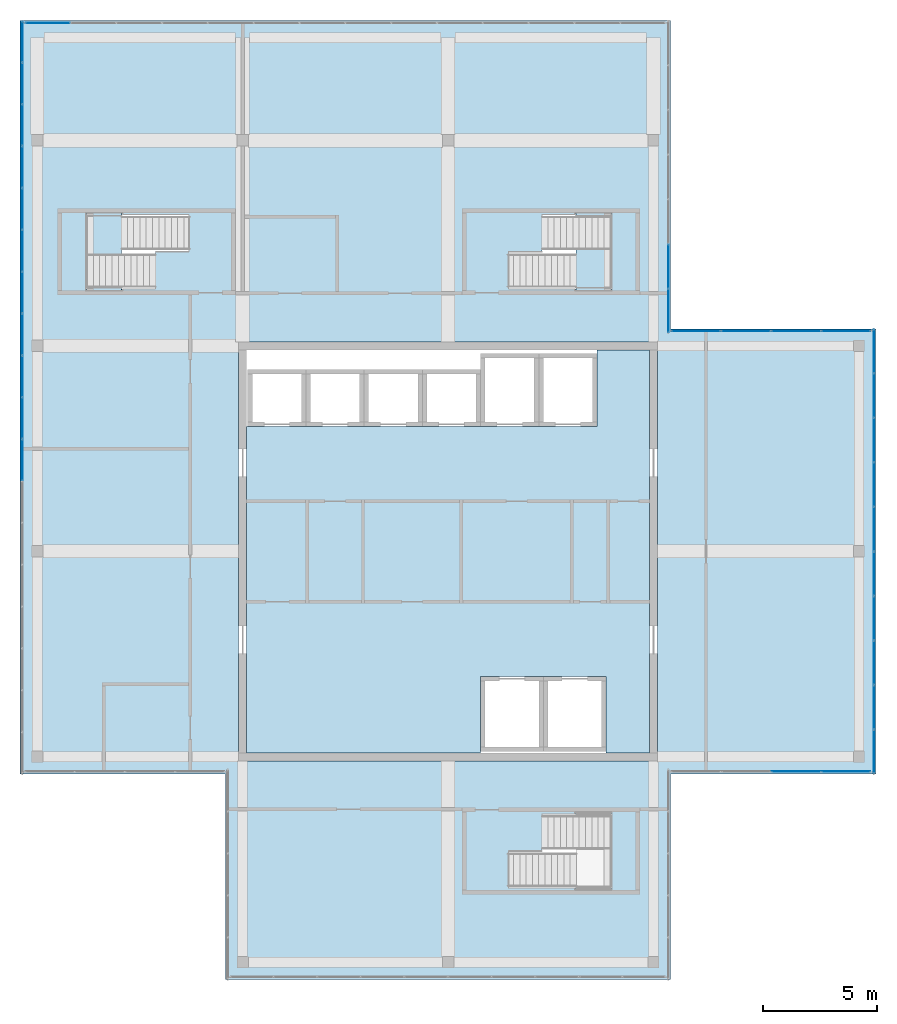
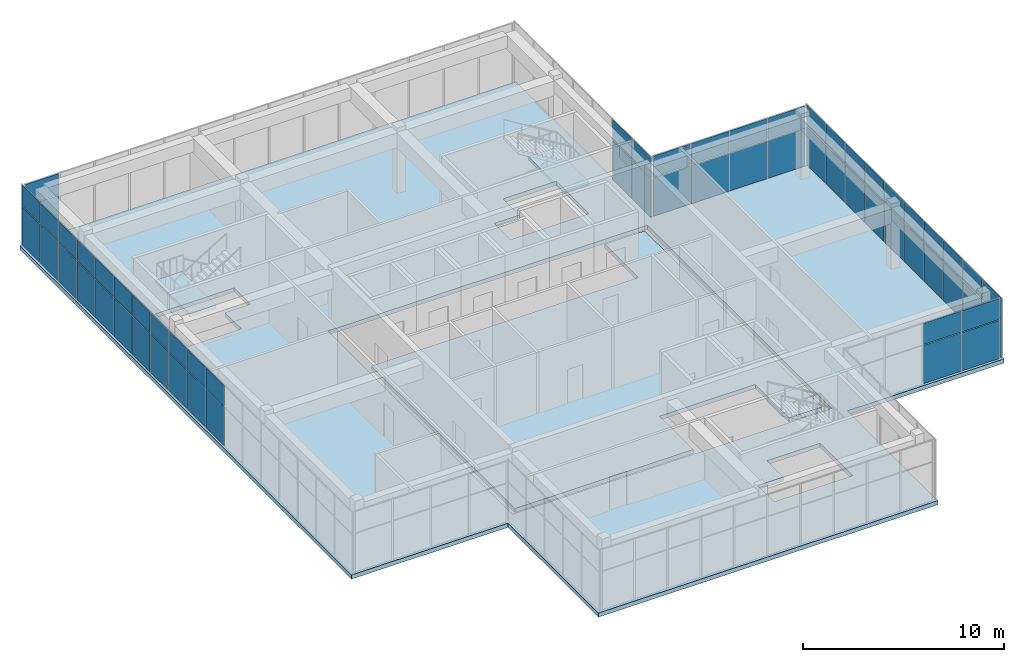
# One storey, part 29 of 34: 60 plates, 4 slabs, 8 elements without a shape of their own.
"""IFC4 building model written with IfcOpenShell, lengths in metres."""

from ifc_helpers import new_model, si_unit, direction, frame, origin, origin_2d, place, context, subcontext, project, spatial, polyline, rectangle, outline, extrude, material, layer, layer_set, type_object, element, aggregate, save


model = new_model("IFC4")

# Units and contexts
model_context = context("Model", 3, precision=1e-05, world=origin(), true_north=direction((0.0, 1.0)))
body_context = subcontext(model_context, "Body", "Model", "MODEL_VIEW")
ifc_project = project(units=[si_unit("LENGTHUNIT", "METRE"), si_unit("AREAUNIT", "SQUARE_METRE"), si_unit("VOLUMEUNIT", "CUBIC_METRE"), si_unit("PLANEANGLEUNIT", "RADIAN"), si_unit("MASSUNIT", "GRAM", prefix="KILO")], contexts=[model_context])

# Site, building, storey
site_placement = place(None, origin())
site = spatial("IfcSite", under=ifc_project, at=site_placement, CompositionType="ELEMENT")
building_placement = place(site_placement, origin())
building = spatial("IfcBuilding", under=site, at=building_placement, Name="Tuart Plaza Theatre", CompositionType="ELEMENT")
storey_placement = place(building_placement, frame((0.0, 0.0, 57.5)))
storey = spatial("IfcBuildingStorey", under=building, at=storey_placement, Name="L14", CompositionType="ELEMENT", Elevation=57.5)

# Curtain wall, plates
ifc_material_1 = material(Name="Aluminium and glass", Category="aluminium")
ifc_layer_1 = layer(ifc_material_1, 0.10009765625)
ifc_layer_set_1 = layer_set([ifc_layer_1], Name="CURTAIN WALL 2000 module")
curtain_wall_type_1 = type_object("IfcCurtainWallType", Name="CURTAIN WALL 2000 module", PredefinedType="NOTDEFINED", material=ifc_layer_set_1)
curtain_wall_1_placement = place(storey_placement, origin())
curtain_wall_1 = element("IfcCurtainWall", 1, at=curtain_wall_1_placement, inside=storey, type_object=curtain_wall_type_1, Name="CW113", PredefinedType="NOTDEFINED")
ifc_material_2 = material(Name="Glass", Category="glass")
ifc_layer_2 = layer(ifc_material_2, 0.028076171875)
ifc_layer_set_2 = layer_set([ifc_layer_2], Name="CURTAIN PANEL double glazed 28")
plate_type = type_object("IfcPlateType", Name="CURTAIN PANEL double glazed 28", PredefinedType="CURTAIN_PANEL", material=ifc_layer_set_2)
plate_1_placement = place(storey_placement, frame((147.25, 64.35009765625, 0.0498046875), z_axis=(0.0, 0.0, 1.0), x_axis=(1.0, 0.0, 0.0)))
plate_1 = element("IfcPlate", 2, at=plate_1_placement, type_object=plate_type, Name="CW113 panel 3.1", PredefinedType="CURTAIN_PANEL", context=body_context, shape_type="SweptSolid", body=[
    extrude(rectangle(XDim=2.14990234375, YDim=0.028076171875, at=origin_2d()), origin(), (0.0, 0.0, 1.0), 2.324951171875),
])
plate_2_placement = place(storey_placement, frame((147.25, 64.35009765625, 2.425048828125), z_axis=(0.0, 0.0, 1.0), x_axis=(1.0, 0.0, 0.0)))
plate_2 = element("IfcPlate", 3, at=plate_2_placement, type_object=plate_type, Name="CW113 panel 3.2", PredefinedType="CURTAIN_PANEL", context=body_context, shape_type="SweptSolid", body=[
    extrude(rectangle(XDim=2.14990234375, YDim=0.028076171875, at=origin_2d()), origin(), (0.0, 0.0, 1.0), 1.27490234375),
])
plate_3_placement = place(storey_placement, frame((149.4375, 64.35009765625, 0.0498046875), z_axis=(0.0, 0.0, 1.0), x_axis=(1.0, 0.0, 0.0)))
plate_3 = element("IfcPlate", 4, at=plate_3_placement, type_object=plate_type, Name="CW113 panel 4.1", PredefinedType="CURTAIN_PANEL", context=body_context, shape_type="SweptSolid", body=[
    extrude(rectangle(XDim=2.125, YDim=0.028076171875, at=origin_2d()), origin(), (0.0, 0.0, 1.0), 2.324951171875),
])
plate_4_placement = place(storey_placement, frame((149.4375, 64.35009765625, 2.425048828125), z_axis=(0.0, 0.0, 1.0), x_axis=(1.0, 0.0, 0.0)))
plate_4 = element("IfcPlate", 5, at=plate_4_placement, type_object=plate_type, Name="CW113 panel 4.2", PredefinedType="CURTAIN_PANEL", context=body_context, shape_type="SweptSolid", body=[
    extrude(rectangle(XDim=2.125, YDim=0.028076171875, at=origin_2d()), origin(), (0.0, 0.0, 1.0), 1.27490234375),
])
aggregate(curtain_wall_1, [plate_1, plate_2, plate_3, plate_4])

curtain_wall_2_placement = place(storey_placement, origin())
curtain_wall_2 = element("IfcCurtainWall", 6, at=curtain_wall_2_placement, inside=storey, type_object=curtain_wall_type_1, Name="CW114", PredefinedType="NOTDEFINED")
plate_5_placement = place(storey_placement, frame((150.64990234375, 65.237548828125, 0.0498046875), z_axis=(0.0, 0.0, 1.0), x_axis=(0.0, 1.0, 0.0)))
plate_5 = element("IfcPlate", 7, at=plate_5_placement, type_object=plate_type, Name="CW114 panel 1.1", PredefinedType="CURTAIN_PANEL", context=body_context, shape_type="SweptSolid", body=[
    extrude(rectangle(XDim=1.875, YDim=0.028076171875, at=origin_2d()), origin(), (0.0, 0.0, 1.0), 2.324951171875),
])
plate_6_placement = place(storey_placement, frame((150.64990234375, 65.237548828125, 2.425048828125), z_axis=(0.0, 0.0, 1.0), x_axis=(0.0, 1.0, 0.0)))
plate_6 = element("IfcPlate", 8, at=plate_6_placement, type_object=plate_type, Name="CW114 panel 1.2", PredefinedType="CURTAIN_PANEL", context=body_context, shape_type="SweptSolid", body=[
    extrude(rectangle(XDim=1.875, YDim=0.028076171875, at=origin_2d()), origin(), (0.0, 0.0, 1.0), 1.27490234375),
])
plate_7_placement = place(storey_placement, frame((150.64990234375, 67.175048828125, 0.0498046875), z_axis=(0.0, 0.0, 1.0), x_axis=(0.0, 1.0, 0.0)))
plate_7 = element("IfcPlate", 9, at=plate_7_placement, type_object=plate_type, Name="CW114 panel 2.1", PredefinedType="CURTAIN_PANEL", context=body_context, shape_type="SweptSolid", body=[
    extrude(rectangle(XDim=1.89990234375, YDim=0.028076171875, at=origin_2d()), origin(), (0.0, 0.0, 1.0), 2.324951171875),
])
plate_8_placement = place(storey_placement, frame((150.64990234375, 67.175048828125, 2.425048828125), z_axis=(0.0, 0.0, 1.0), x_axis=(0.0, 1.0, 0.0)))
plate_8 = element("IfcPlate", 10, at=plate_8_placement, type_object=plate_type, Name="CW114 panel 2.2", PredefinedType="CURTAIN_PANEL", context=body_context, shape_type="SweptSolid", body=[
    extrude(rectangle(XDim=1.89990234375, YDim=0.028076171875, at=origin_2d()), origin(), (0.0, 0.0, 1.0), 1.27490234375),
])
plate_9_placement = place(storey_placement, frame((150.64990234375, 69.125, 0.0498046875), z_axis=(0.0, 0.0, 1.0), x_axis=(0.0, 1.0, 0.0)))
plate_9 = element("IfcPlate", 11, at=plate_9_placement, type_object=plate_type, Name="CW114 panel 3.1", PredefinedType="CURTAIN_PANEL", context=body_context, shape_type="SweptSolid", body=[
    extrude(rectangle(XDim=1.89990234375, YDim=0.028076171875, at=origin_2d()), origin(), (0.0, 0.0, 1.0), 2.324951171875),
])
plate_10_placement = place(storey_placement, frame((150.64990234375, 69.125, 2.425048828125), z_axis=(0.0, 0.0, 1.0), x_axis=(0.0, 1.0, 0.0)))
plate_10 = element("IfcPlate", 12, at=plate_10_placement, type_object=plate_type, Name="CW114 panel 3.2", PredefinedType="CURTAIN_PANEL", context=body_context, shape_type="SweptSolid", body=[
    extrude(rectangle(XDim=1.89990234375, YDim=0.028076171875, at=origin_2d()), origin(), (0.0, 0.0, 1.0), 1.27490234375),
])
plate_11_placement = place(storey_placement, frame((150.64990234375, 71.074951171875, 0.0498046875), z_axis=(0.0, 0.0, 1.0), x_axis=(0.0, 1.0, 0.0)))
plate_11 = element("IfcPlate", 13, at=plate_11_placement, type_object=plate_type, Name="CW114 panel 4.1", PredefinedType="CURTAIN_PANEL", context=body_context, shape_type="SweptSolid", body=[
    extrude(rectangle(XDim=1.89990234375, YDim=0.028076171875, at=origin_2d()), origin(), (0.0, 0.0, 1.0), 2.324951171875),
])
plate_12_placement = place(storey_placement, frame((150.64990234375, 71.074951171875, 2.425048828125), z_axis=(0.0, 0.0, 1.0), x_axis=(0.0, 1.0, 0.0)))
plate_12 = element("IfcPlate", 14, at=plate_12_placement, type_object=plate_type, Name="CW114 panel 4.2", PredefinedType="CURTAIN_PANEL", context=body_context, shape_type="SweptSolid", body=[
    extrude(rectangle(XDim=1.89990234375, YDim=0.028076171875, at=origin_2d()), origin(), (0.0, 0.0, 1.0), 1.27490234375),
])
plate_13_placement = place(storey_placement, frame((150.64990234375, 73.02490234375, 0.0498046875), z_axis=(0.0, 0.0, 1.0), x_axis=(0.0, 1.0, 0.0)))
plate_13 = element("IfcPlate", 15, at=plate_13_placement, type_object=plate_type, Name="CW114 panel 5.1", PredefinedType="CURTAIN_PANEL", context=body_context, shape_type="SweptSolid", body=[
    extrude(rectangle(XDim=1.89990234375, YDim=0.028076171875, at=origin_2d()), origin(), (0.0, 0.0, 1.0), 2.324951171875),
])
plate_14_placement = place(storey_placement, frame((150.64990234375, 73.02490234375, 2.425048828125), z_axis=(0.0, 0.0, 1.0), x_axis=(0.0, 1.0, 0.0)))
plate_14 = element("IfcPlate", 16, at=plate_14_placement, type_object=plate_type, Name="CW114 panel 5.2", PredefinedType="CURTAIN_PANEL", context=body_context, shape_type="SweptSolid", body=[
    extrude(rectangle(XDim=1.89990234375, YDim=0.028076171875, at=origin_2d()), origin(), (0.0, 0.0, 1.0), 1.27490234375),
])
plate_15_placement = place(storey_placement, frame((150.64990234375, 74.97509765625, 0.0498046875), z_axis=(0.0, 0.0, 1.0), x_axis=(0.0, 1.0, 0.0)))
plate_15 = element("IfcPlate", 17, at=plate_15_placement, type_object=plate_type, Name="CW114 panel 6.1", PredefinedType="CURTAIN_PANEL", context=body_context, shape_type="SweptSolid", body=[
    extrude(rectangle(XDim=1.89990234375, YDim=0.028076171875, at=origin_2d()), origin(), (0.0, 0.0, 1.0), 2.324951171875),
])
plate_16_placement = place(storey_placement, frame((150.64990234375, 74.97509765625, 2.425048828125), z_axis=(0.0, 0.0, 1.0), x_axis=(0.0, 1.0, 0.0)))
plate_16 = element("IfcPlate", 18, at=plate_16_placement, type_object=plate_type, Name="CW114 panel 6.2", PredefinedType="CURTAIN_PANEL", context=body_context, shape_type="SweptSolid", body=[
    extrude(rectangle(XDim=1.89990234375, YDim=0.028076171875, at=origin_2d()), origin(), (0.0, 0.0, 1.0), 1.27490234375),
])
plate_17_placement = place(storey_placement, frame((150.64990234375, 76.925048828125, 0.0498046875), z_axis=(0.0, 0.0, 1.0), x_axis=(0.0, 1.0, 0.0)))
plate_17 = element("IfcPlate", 19, at=plate_17_placement, type_object=plate_type, Name="CW114 panel 7.1", PredefinedType="CURTAIN_PANEL", context=body_context, shape_type="SweptSolid", body=[
    extrude(rectangle(XDim=1.89990234375, YDim=0.028076171875, at=origin_2d()), origin(), (0.0, 0.0, 1.0), 2.324951171875),
])
plate_18_placement = place(storey_placement, frame((150.64990234375, 76.925048828125, 2.425048828125), z_axis=(0.0, 0.0, 1.0), x_axis=(0.0, 1.0, 0.0)))
plate_18 = element("IfcPlate", 20, at=plate_18_placement, type_object=plate_type, Name="CW114 panel 7.2", PredefinedType="CURTAIN_PANEL", context=body_context, shape_type="SweptSolid", body=[
    extrude(rectangle(XDim=1.89990234375, YDim=0.028076171875, at=origin_2d()), origin(), (0.0, 0.0, 1.0), 1.27490234375),
])
plate_19_placement = place(storey_placement, frame((150.64990234375, 78.875, 0.0498046875), z_axis=(0.0, 0.0, 1.0), x_axis=(0.0, 1.0, 0.0)))
plate_19 = element("IfcPlate", 21, at=plate_19_placement, type_object=plate_type, Name="CW114 panel 8.1", PredefinedType="CURTAIN_PANEL", context=body_context, shape_type="SweptSolid", body=[
    extrude(rectangle(XDim=1.89990234375, YDim=0.028076171875, at=origin_2d()), origin(), (0.0, 0.0, 1.0), 2.324951171875),
])
plate_20_placement = place(storey_placement, frame((150.64990234375, 78.875, 2.425048828125), z_axis=(0.0, 0.0, 1.0), x_axis=(0.0, 1.0, 0.0)))
plate_20 = element("IfcPlate", 22, at=plate_20_placement, type_object=plate_type, Name="CW114 panel 8.2", PredefinedType="CURTAIN_PANEL", context=body_context, shape_type="SweptSolid", body=[
    extrude(rectangle(XDim=1.89990234375, YDim=0.028076171875, at=origin_2d()), origin(), (0.0, 0.0, 1.0), 1.27490234375),
])
plate_21_placement = place(storey_placement, frame((150.64990234375, 80.824951171875, 0.0498046875), z_axis=(0.0, 0.0, 1.0), x_axis=(0.0, 1.0, 0.0)))
plate_21 = element("IfcPlate", 23, at=plate_21_placement, type_object=plate_type, Name="CW114 panel 9.1", PredefinedType="CURTAIN_PANEL", context=body_context, shape_type="SweptSolid", body=[
    extrude(rectangle(XDim=1.89990234375, YDim=0.028076171875, at=origin_2d()), origin(), (0.0, 0.0, 1.0), 2.324951171875),
])
plate_22_placement = place(storey_placement, frame((150.64990234375, 80.824951171875, 2.425048828125), z_axis=(0.0, 0.0, 1.0), x_axis=(0.0, 1.0, 0.0)))
plate_22 = element("IfcPlate", 24, at=plate_22_placement, type_object=plate_type, Name="CW114 panel 9.2", PredefinedType="CURTAIN_PANEL", context=body_context, shape_type="SweptSolid", body=[
    extrude(rectangle(XDim=1.89990234375, YDim=0.028076171875, at=origin_2d()), origin(), (0.0, 0.0, 1.0), 1.27490234375),
])
plate_23_placement = place(storey_placement, frame((150.64990234375, 82.762451171875, 0.0498046875), z_axis=(0.0, 0.0, 1.0), x_axis=(0.0, 1.0, 0.0)))
plate_23 = element("IfcPlate", 25, at=plate_23_placement, type_object=plate_type, Name="CW114 panel 10.1", PredefinedType="CURTAIN_PANEL", context=body_context, shape_type="SweptSolid", body=[
    extrude(rectangle(XDim=1.875, YDim=0.028076171875, at=origin_2d()), origin(), (0.0, 0.0, 1.0), 2.324951171875),
])
plate_24_placement = place(storey_placement, frame((150.64990234375, 82.762451171875, 2.425048828125), z_axis=(0.0, 0.0, 1.0), x_axis=(0.0, 1.0, 0.0)))
plate_24 = element("IfcPlate", 26, at=plate_24_placement, type_object=plate_type, Name="CW114 panel 10.2", PredefinedType="CURTAIN_PANEL", context=body_context, shape_type="SweptSolid", body=[
    extrude(rectangle(XDim=1.875, YDim=0.028076171875, at=origin_2d()), origin(), (0.0, 0.0, 1.0), 1.27490234375),
])
aggregate(curtain_wall_2, [plate_5, plate_6, plate_7, plate_8, plate_9, plate_10, plate_11, plate_12, plate_13, plate_14, plate_15, plate_16, plate_17, plate_18, plate_19, plate_20, plate_21, plate_22, plate_23, plate_24])

curtain_wall_3_placement = place(storey_placement, origin())
curtain_wall_3 = element("IfcCurtainWall", 27, at=curtain_wall_3_placement, inside=storey, type_object=curtain_wall_type_1, Name="CW115", PredefinedType="NOTDEFINED")
plate_25_placement = place(storey_placement, frame((149.4375, 83.64990234375, 0.0498046875), z_axis=(0.0, 0.0, 1.0), x_axis=(-1.0, 0.0, 0.0)))
plate_25 = element("IfcPlate", 28, at=plate_25_placement, type_object=plate_type, Name="CW115 panel 1.1", PredefinedType="CURTAIN_PANEL", context=body_context, shape_type="SweptSolid", body=[
    extrude(rectangle(XDim=2.125, YDim=0.028076171875, at=origin_2d()), origin(), (0.0, 0.0, 1.0), 2.324951171875),
])
plate_26_placement = place(storey_placement, frame((149.4375, 83.64990234375, 2.425048828125), z_axis=(0.0, 0.0, 1.0), x_axis=(-1.0, 0.0, 0.0)))
plate_26 = element("IfcPlate", 29, at=plate_26_placement, type_object=plate_type, Name="CW115 panel 1.2", PredefinedType="CURTAIN_PANEL", context=body_context, shape_type="SweptSolid", body=[
    extrude(rectangle(XDim=2.125, YDim=0.028076171875, at=origin_2d()), origin(), (0.0, 0.0, 1.0), 1.27490234375),
])
plate_27_placement = place(storey_placement, frame((147.25, 83.64990234375, 0.0498046875), z_axis=(0.0, 0.0, 1.0), x_axis=(-1.0, 0.0, 0.0)))
plate_27 = element("IfcPlate", 30, at=plate_27_placement, type_object=plate_type, Name="CW115 panel 2.1", PredefinedType="CURTAIN_PANEL", context=body_context, shape_type="SweptSolid", body=[
    extrude(rectangle(XDim=2.14990234375, YDim=0.028076171875, at=origin_2d()), origin(), (0.0, 0.0, 1.0), 2.324951171875),
])
plate_28_placement = place(storey_placement, frame((147.25, 83.64990234375, 2.425048828125), z_axis=(0.0, 0.0, 1.0), x_axis=(-1.0, 0.0, 0.0)))
plate_28 = element("IfcPlate", 31, at=plate_28_placement, type_object=plate_type, Name="CW115 panel 2.2", PredefinedType="CURTAIN_PANEL", context=body_context, shape_type="SweptSolid", body=[
    extrude(rectangle(XDim=2.14990234375, YDim=0.028076171875, at=origin_2d()), origin(), (0.0, 0.0, 1.0), 1.27490234375),
])
plate_29_placement = place(storey_placement, frame((145.050048828125, 83.64990234375, 0.0498046875), z_axis=(0.0, 0.0, 1.0), x_axis=(-1.0, 0.0, 0.0)))
plate_29 = element("IfcPlate", 32, at=plate_29_placement, type_object=plate_type, Name="CW115 panel 3.1", PredefinedType="CURTAIN_PANEL", context=body_context, shape_type="SweptSolid", body=[
    extrude(rectangle(XDim=2.14990234375, YDim=0.028076171875, at=origin_2d()), origin(), (0.0, 0.0, 1.0), 2.324951171875),
])
plate_30_placement = place(storey_placement, frame((145.050048828125, 83.64990234375, 2.425048828125), z_axis=(0.0, 0.0, 1.0), x_axis=(-1.0, 0.0, 0.0)))
plate_30 = element("IfcPlate", 33, at=plate_30_placement, type_object=plate_type, Name="CW115 panel 3.2", PredefinedType="CURTAIN_PANEL", context=body_context, shape_type="SweptSolid", body=[
    extrude(rectangle(XDim=2.14990234375, YDim=0.028076171875, at=origin_2d()), origin(), (0.0, 0.0, 1.0), 1.27490234375),
])
plate_31_placement = place(storey_placement, frame((142.862548828125, 83.64990234375, 0.0498046875), z_axis=(0.0, 0.0, 1.0), x_axis=(-1.0, 0.0, 0.0)))
plate_31 = element("IfcPlate", 34, at=plate_31_placement, type_object=plate_type, Name="CW115 panel 4.1", PredefinedType="CURTAIN_PANEL", context=body_context, shape_type="SweptSolid", body=[
    extrude(rectangle(XDim=2.125, YDim=0.028076171875, at=origin_2d()), origin(), (0.0, 0.0, 1.0), 2.324951171875),
])
plate_32_placement = place(storey_placement, frame((142.862548828125, 83.64990234375, 2.425048828125), z_axis=(0.0, 0.0, 1.0), x_axis=(-1.0, 0.0, 0.0)))
plate_32 = element("IfcPlate", 35, at=plate_32_placement, type_object=plate_type, Name="CW115 panel 4.2", PredefinedType="CURTAIN_PANEL", context=body_context, shape_type="SweptSolid", body=[
    extrude(rectangle(XDim=2.125, YDim=0.028076171875, at=origin_2d()), origin(), (0.0, 0.0, 1.0), 1.27490234375),
])
aggregate(curtain_wall_3, [plate_25, plate_26, plate_27, plate_28, plate_29, plate_30, plate_31, plate_32])

curtain_wall_4_placement = place(storey_placement, origin())
curtain_wall_4 = element("IfcCurtainWall", 36, at=curtain_wall_4_placement, inside=storey, type_object=curtain_wall_type_1, Name="CW116", PredefinedType="NOTDEFINED")
plate_33_placement = place(storey_placement, frame((141.64990234375, 84.541015625, 0.0498046875), z_axis=(0.0, 0.0, 1.0), x_axis=(0.0, 1.0, 0.0)))
plate_33 = element("IfcPlate", 37, at=plate_33_placement, type_object=plate_type, Name="CW116 panel 1.1", PredefinedType="CURTAIN_PANEL", context=body_context, shape_type="SweptSolid", body=[
    extrude(rectangle(XDim=1.882080078125, YDim=0.028076171875, at=origin_2d()), origin(), (0.0, 0.0, 1.0), 2.324951171875),
])
plate_34_placement = place(storey_placement, frame((141.64990234375, 84.541015625, 2.425048828125), z_axis=(0.0, 0.0, 1.0), x_axis=(0.0, 1.0, 0.0)))
plate_34 = element("IfcPlate", 38, at=plate_34_placement, type_object=plate_type, Name="CW116 panel 1.2", PredefinedType="CURTAIN_PANEL", context=body_context, shape_type="SweptSolid", body=[
    extrude(rectangle(XDim=1.882080078125, YDim=0.028076171875, at=origin_2d()), origin(), (0.0, 0.0, 1.0), 1.27490234375),
])
plate_35_placement = place(storey_placement, frame((141.64990234375, 86.485595703125, 0.0498046875), z_axis=(0.0, 0.0, 1.0), x_axis=(0.0, 1.0, 0.0)))
plate_35 = element("IfcPlate", 39, at=plate_35_placement, type_object=plate_type, Name="CW116 panel 2.1", PredefinedType="CURTAIN_PANEL", context=body_context, shape_type="SweptSolid", body=[
    extrude(rectangle(XDim=1.9072265625, YDim=0.028076171875, at=origin_2d()), origin(), (0.0, 0.0, 1.0), 2.324951171875),
])
plate_36_placement = place(storey_placement, frame((141.64990234375, 86.485595703125, 2.425048828125), z_axis=(0.0, 0.0, 1.0), x_axis=(0.0, 1.0, 0.0)))
plate_36 = element("IfcPlate", 40, at=plate_36_placement, type_object=plate_type, Name="CW116 panel 2.2", PredefinedType="CURTAIN_PANEL", context=body_context, shape_type="SweptSolid", body=[
    extrude(rectangle(XDim=1.9072265625, YDim=0.028076171875, at=origin_2d()), origin(), (0.0, 0.0, 1.0), 1.27490234375),
])
aggregate(curtain_wall_4, [plate_33, plate_34, plate_35, plate_36])

curtain_wall_5_placement = place(storey_placement, origin())
curtain_wall_5 = element("IfcCurtainWall", 41, at=curtain_wall_5_placement, inside=storey, type_object=curtain_wall_type_1, Name="CW117", PredefinedType="NOTDEFINED")
plate_37_placement = place(storey_placement, frame((114.466064453125, 97.14990234375, 0.0498046875), z_axis=(0.0, 0.0, 1.0), x_axis=(-1.0, 0.0, 0.0)))
plate_37 = element("IfcPlate", 42, at=plate_37_placement, type_object=plate_type, Name="CW117 panel 14.1", PredefinedType="CURTAIN_PANEL", context=body_context, shape_type="SweptSolid", body=[
    extrude(rectangle(XDim=1.93212890625, YDim=0.028076171875, at=origin_2d()), origin(), (0.0, 0.0, 1.0), 2.324951171875),
])
plate_38_placement = place(storey_placement, frame((114.466064453125, 97.14990234375, 2.425048828125), z_axis=(0.0, 0.0, 1.0), x_axis=(-1.0, 0.0, 0.0)))
plate_38 = element("IfcPlate", 43, at=plate_38_placement, type_object=plate_type, Name="CW117 panel 14.2", PredefinedType="CURTAIN_PANEL", context=body_context, shape_type="SweptSolid", body=[
    extrude(rectangle(XDim=1.93212890625, YDim=0.028076171875, at=origin_2d()), origin(), (0.0, 0.0, 1.0), 1.27490234375),
])
aggregate(curtain_wall_5, [plate_37, plate_38])

ifc_material_3 = material(Name="Aluminium and glass", Category="aluminium")
ifc_layer_3 = layer(ifc_material_3, 0.10009765625)
ifc_layer_set_3 = layer_set([ifc_layer_3], Name="CURTAIN WALL 1800 module")
curtain_wall_type_2 = type_object("IfcCurtainWallType", Name="CURTAIN WALL 1800 module", PredefinedType="NOTDEFINED", material=ifc_layer_set_3)
curtain_wall_6_placement = place(storey_placement, origin())
curtain_wall_6 = element("IfcCurtainWall", 44, at=curtain_wall_6_placement, inside=storey, type_object=curtain_wall_type_2, Name="CW118", PredefinedType="NOTDEFINED")
plate_39_placement = place(storey_placement, frame((113.35009765625, 96.32080078125, 0.0498046875), z_axis=(0.0, 0.0, 1.0), x_axis=(0.0, -1.0, 0.0)))
plate_39 = element("IfcPlate", 45, at=plate_39_placement, type_object=plate_type, Name="CW118 panel 1.1", PredefinedType="CURTAIN_PANEL", context=body_context, shape_type="SweptSolid", body=[
    extrude(rectangle(XDim=1.75830078125, YDim=0.028076171875, at=origin_2d()), origin(), (0.0, 0.0, 1.0), 2.324951171875),
])
plate_40_placement = place(storey_placement, frame((113.35009765625, 96.32080078125, 2.425048828125), z_axis=(0.0, 0.0, 1.0), x_axis=(0.0, -1.0, 0.0)))
plate_40 = element("IfcPlate", 46, at=plate_40_placement, type_object=plate_type, Name="CW118 panel 1.2", PredefinedType="CURTAIN_PANEL", context=body_context, shape_type="SweptSolid", body=[
    extrude(rectangle(XDim=1.75830078125, YDim=0.028076171875, at=origin_2d()), origin(), (0.0, 0.0, 1.0), 1.27490234375),
])
plate_41_placement = place(storey_placement, frame((113.35009765625, 94.5, 0.0498046875), z_axis=(0.0, 0.0, 1.0), x_axis=(0.0, -1.0, 0.0)))
plate_41 = element("IfcPlate", 47, at=plate_41_placement, type_object=plate_type, Name="CW118 panel 2.1", PredefinedType="CURTAIN_PANEL", context=body_context, shape_type="SweptSolid", body=[
    extrude(rectangle(XDim=1.783447265625, YDim=0.028076171875, at=origin_2d()), origin(), (0.0, 0.0, 1.0), 2.324951171875),
])
plate_42_placement = place(storey_placement, frame((113.35009765625, 94.5, 2.425048828125), z_axis=(0.0, 0.0, 1.0), x_axis=(0.0, -1.0, 0.0)))
plate_42 = element("IfcPlate", 48, at=plate_42_placement, type_object=plate_type, Name="CW118 panel 2.2", PredefinedType="CURTAIN_PANEL", context=body_context, shape_type="SweptSolid", body=[
    extrude(rectangle(XDim=1.783447265625, YDim=0.028076171875, at=origin_2d()), origin(), (0.0, 0.0, 1.0), 1.27490234375),
])
plate_43_placement = place(storey_placement, frame((113.35009765625, 92.666748046875, 0.0498046875), z_axis=(0.0, 0.0, 1.0), x_axis=(0.0, -1.0, 0.0)))
plate_43 = element("IfcPlate", 49, at=plate_43_placement, type_object=plate_type, Name="CW118 panel 3.1", PredefinedType="CURTAIN_PANEL", context=body_context, shape_type="SweptSolid", body=[
    extrude(rectangle(XDim=1.783447265625, YDim=0.028076171875, at=origin_2d()), origin(), (0.0, 0.0, 1.0), 2.324951171875),
])
plate_44_placement = place(storey_placement, frame((113.35009765625, 92.666748046875, 2.425048828125), z_axis=(0.0, 0.0, 1.0), x_axis=(0.0, -1.0, 0.0)))
plate_44 = element("IfcPlate", 50, at=plate_44_placement, type_object=plate_type, Name="CW118 panel 3.2", PredefinedType="CURTAIN_PANEL", context=body_context, shape_type="SweptSolid", body=[
    extrude(rectangle(XDim=1.783447265625, YDim=0.028076171875, at=origin_2d()), origin(), (0.0, 0.0, 1.0), 1.27490234375),
])
plate_45_placement = place(storey_placement, frame((113.35009765625, 90.833251953125, 0.0498046875), z_axis=(0.0, 0.0, 1.0), x_axis=(0.0, -1.0, 0.0)))
plate_45 = element("IfcPlate", 51, at=plate_45_placement, type_object=plate_type, Name="CW118 panel 4.1", PredefinedType="CURTAIN_PANEL", context=body_context, shape_type="SweptSolid", body=[
    extrude(rectangle(XDim=1.783447265625, YDim=0.028076171875, at=origin_2d()), origin(), (0.0, 0.0, 1.0), 2.324951171875),
])
plate_46_placement = place(storey_placement, frame((113.35009765625, 90.833251953125, 2.425048828125), z_axis=(0.0, 0.0, 1.0), x_axis=(0.0, -1.0, 0.0)))
plate_46 = element("IfcPlate", 52, at=plate_46_placement, type_object=plate_type, Name="CW118 panel 4.2", PredefinedType="CURTAIN_PANEL", context=body_context, shape_type="SweptSolid", body=[
    extrude(rectangle(XDim=1.783447265625, YDim=0.028076171875, at=origin_2d()), origin(), (0.0, 0.0, 1.0), 1.27490234375),
])
plate_47_placement = place(storey_placement, frame((113.35009765625, 89.0, 0.0498046875), z_axis=(0.0, 0.0, 1.0), x_axis=(0.0, -1.0, 0.0)))
plate_47 = element("IfcPlate", 53, at=plate_47_placement, type_object=plate_type, Name="CW118 panel 5.1", PredefinedType="CURTAIN_PANEL", context=body_context, shape_type="SweptSolid", body=[
    extrude(rectangle(XDim=1.783447265625, YDim=0.028076171875, at=origin_2d()), origin(), (0.0, 0.0, 1.0), 2.324951171875),
])
plate_48_placement = place(storey_placement, frame((113.35009765625, 89.0, 2.425048828125), z_axis=(0.0, 0.0, 1.0), x_axis=(0.0, -1.0, 0.0)))
plate_48 = element("IfcPlate", 54, at=plate_48_placement, type_object=plate_type, Name="CW118 panel 5.2", PredefinedType="CURTAIN_PANEL", context=body_context, shape_type="SweptSolid", body=[
    extrude(rectangle(XDim=1.783447265625, YDim=0.028076171875, at=origin_2d()), origin(), (0.0, 0.0, 1.0), 1.27490234375),
])
plate_49_placement = place(storey_placement, frame((113.35009765625, 87.166748046875, 0.0498046875), z_axis=(0.0, 0.0, 1.0), x_axis=(0.0, -1.0, 0.0)))
plate_49 = element("IfcPlate", 55, at=plate_49_placement, type_object=plate_type, Name="CW118 panel 6.1", PredefinedType="CURTAIN_PANEL", context=body_context, shape_type="SweptSolid", body=[
    extrude(rectangle(XDim=1.783447265625, YDim=0.028076171875, at=origin_2d()), origin(), (0.0, 0.0, 1.0), 2.324951171875),
])
plate_50_placement = place(storey_placement, frame((113.35009765625, 87.166748046875, 2.425048828125), z_axis=(0.0, 0.0, 1.0), x_axis=(0.0, -1.0, 0.0)))
plate_50 = element("IfcPlate", 56, at=plate_50_placement, type_object=plate_type, Name="CW118 panel 6.2", PredefinedType="CURTAIN_PANEL", context=body_context, shape_type="SweptSolid", body=[
    extrude(rectangle(XDim=1.783447265625, YDim=0.028076171875, at=origin_2d()), origin(), (0.0, 0.0, 1.0), 1.27490234375),
])
plate_51_placement = place(storey_placement, frame((113.35009765625, 85.333251953125, 0.0498046875), z_axis=(0.0, 0.0, 1.0), x_axis=(0.0, -1.0, 0.0)))
plate_51 = element("IfcPlate", 57, at=plate_51_placement, type_object=plate_type, Name="CW118 panel 7.1", PredefinedType="CURTAIN_PANEL", context=body_context, shape_type="SweptSolid", body=[
    extrude(rectangle(XDim=1.783447265625, YDim=0.028076171875, at=origin_2d()), origin(), (0.0, 0.0, 1.0), 2.324951171875),
])
plate_52_placement = place(storey_placement, frame((113.35009765625, 85.333251953125, 2.425048828125), z_axis=(0.0, 0.0, 1.0), x_axis=(0.0, -1.0, 0.0)))
plate_52 = element("IfcPlate", 58, at=plate_52_placement, type_object=plate_type, Name="CW118 panel 7.2", PredefinedType="CURTAIN_PANEL", context=body_context, shape_type="SweptSolid", body=[
    extrude(rectangle(XDim=1.783447265625, YDim=0.028076171875, at=origin_2d()), origin(), (0.0, 0.0, 1.0), 1.27490234375),
])
plate_53_placement = place(storey_placement, frame((113.35009765625, 83.5, 0.0498046875), z_axis=(0.0, 0.0, 1.0), x_axis=(0.0, -1.0, 0.0)))
plate_53 = element("IfcPlate", 59, at=plate_53_placement, type_object=plate_type, Name="CW118 panel 8.1", PredefinedType="CURTAIN_PANEL", context=body_context, shape_type="SweptSolid", body=[
    extrude(rectangle(XDim=1.783447265625, YDim=0.028076171875, at=origin_2d()), origin(), (0.0, 0.0, 1.0), 2.324951171875),
])
plate_54_placement = place(storey_placement, frame((113.35009765625, 83.5, 2.425048828125), z_axis=(0.0, 0.0, 1.0), x_axis=(0.0, -1.0, 0.0)))
plate_54 = element("IfcPlate", 60, at=plate_54_placement, type_object=plate_type, Name="CW118 panel 8.2", PredefinedType="CURTAIN_PANEL", context=body_context, shape_type="SweptSolid", body=[
    extrude(rectangle(XDim=1.783447265625, YDim=0.028076171875, at=origin_2d()), origin(), (0.0, 0.0, 1.0), 1.27490234375),
])
plate_55_placement = place(storey_placement, frame((113.35009765625, 81.666748046875, 0.0498046875), z_axis=(0.0, 0.0, 1.0), x_axis=(0.0, -1.0, 0.0)))
plate_55 = element("IfcPlate", 61, at=plate_55_placement, type_object=plate_type, Name="CW118 panel 9.1", PredefinedType="CURTAIN_PANEL", context=body_context, shape_type="SweptSolid", body=[
    extrude(rectangle(XDim=1.783447265625, YDim=0.028076171875, at=origin_2d()), origin(), (0.0, 0.0, 1.0), 2.324951171875),
])
plate_56_placement = place(storey_placement, frame((113.35009765625, 81.666748046875, 2.425048828125), z_axis=(0.0, 0.0, 1.0), x_axis=(0.0, -1.0, 0.0)))
plate_56 = element("IfcPlate", 62, at=plate_56_placement, type_object=plate_type, Name="CW118 panel 9.2", PredefinedType="CURTAIN_PANEL", context=body_context, shape_type="SweptSolid", body=[
    extrude(rectangle(XDim=1.783447265625, YDim=0.028076171875, at=origin_2d()), origin(), (0.0, 0.0, 1.0), 1.27490234375),
])
plate_57_placement = place(storey_placement, frame((113.35009765625, 79.833251953125, 0.0498046875), z_axis=(0.0, 0.0, 1.0), x_axis=(0.0, -1.0, 0.0)))
plate_57 = element("IfcPlate", 63, at=plate_57_placement, type_object=plate_type, Name="CW118 panel 10.1", PredefinedType="CURTAIN_PANEL", context=body_context, shape_type="SweptSolid", body=[
    extrude(rectangle(XDim=1.783447265625, YDim=0.028076171875, at=origin_2d()), origin(), (0.0, 0.0, 1.0), 2.324951171875),
])
plate_58_placement = place(storey_placement, frame((113.35009765625, 79.833251953125, 2.425048828125), z_axis=(0.0, 0.0, 1.0), x_axis=(0.0, -1.0, 0.0)))
plate_58 = element("IfcPlate", 64, at=plate_58_placement, type_object=plate_type, Name="CW118 panel 10.2", PredefinedType="CURTAIN_PANEL", context=body_context, shape_type="SweptSolid", body=[
    extrude(rectangle(XDim=1.783447265625, YDim=0.028076171875, at=origin_2d()), origin(), (0.0, 0.0, 1.0), 1.27490234375),
])
plate_59_placement = place(storey_placement, frame((113.35009765625, 78.0, 0.0498046875), z_axis=(0.0, 0.0, 1.0), x_axis=(0.0, -1.0, 0.0)))
plate_59 = element("IfcPlate", 65, at=plate_59_placement, type_object=plate_type, Name="CW118 panel 11.1", PredefinedType="CURTAIN_PANEL", context=body_context, shape_type="SweptSolid", body=[
    extrude(rectangle(XDim=1.783447265625, YDim=0.028076171875, at=origin_2d()), origin(), (0.0, 0.0, 1.0), 2.324951171875),
])
plate_60_placement = place(storey_placement, frame((113.35009765625, 78.0, 2.425048828125), z_axis=(0.0, 0.0, 1.0), x_axis=(0.0, -1.0, 0.0)))
plate_60 = element("IfcPlate", 66, at=plate_60_placement, type_object=plate_type, Name="CW118 panel 11.2", PredefinedType="CURTAIN_PANEL", context=body_context, shape_type="SweptSolid", body=[
    extrude(rectangle(XDim=1.783447265625, YDim=0.028076171875, at=origin_2d()), origin(), (0.0, 0.0, 1.0), 1.27490234375),
])
aggregate(curtain_wall_6, [plate_39, plate_40, plate_41, plate_42, plate_43, plate_44, plate_45, plate_46, plate_47, plate_48, plate_49, plate_50, plate_51, plate_52, plate_53, plate_54, plate_55, plate_56, plate_57, plate_58, plate_59, plate_60])

# Slabs
ifc_material_4 = material(Name="Concrete N40 (40 MPa)", Category="concrete")
ifc_layer_4 = layer(ifc_material_4, 0.25)
ifc_layer_set_4 = layer_set([ifc_layer_4], Name="SLAB Floor 250 Concrete N40 (40 MPa)")
slab_type_1 = type_object("IfcSlabType", Name="SLAB Floor 250 Concrete N40 (40 MPa)", PredefinedType="FLOOR", material=ifc_layer_set_4)
slab_1_placement = place(storey_placement, frame((0.0, 0.0, -0.25)))
element("IfcSlab", 67, at=slab_1_placement, inside=storey, type_object=slab_type_1, Name="S100", PredefinedType="FLOOR", context=body_context, shape_type="SweptSolid", body=[
    extrude(outline(polyline([(141.75, 97.25), (113.25, 97.25), (113.25, 64.25), (122.25, 64.25), (122.25, 55.25), (141.75, 55.25), (141.75, 64.25), (150.75, 64.25), (150.75, 83.75), (141.75, 83.75), (141.75, 97.25)]), holes=[polyline([(141.175048828125, 64.824951171875), (141.175048828125, 83.175048828125), (122.824951171875, 83.175048828125), (122.824951171875, 64.824951171875), (141.175048828125, 64.824951171875)]), polyline([(136.114990234375, 62.5), (136.114990234375, 60.875), (134.655029296875, 60.875), (134.655029296875, 59.25), (139.169921875, 59.25), (139.169921875, 62.5), (136.114990234375, 62.5)]), polyline([(139.169921875, 88.75), (136.114990234375, 88.75), (136.114990234375, 87.125), (134.655029296875, 87.125), (134.655029296875, 85.5), (139.169921875, 85.5), (139.169921875, 88.75)]), polyline([(116.1298828125, 88.75), (116.1298828125, 85.5), (119.18505859375, 85.5), (119.18505859375, 87.125), (120.64501953125, 87.125), (120.64501953125, 88.75), (116.1298828125, 88.75)])]), origin(), (0.0, 0.0, 1.0), 0.25),
])
slab_2_placement = place(storey_placement, frame((0.0, 0.0, -0.25)))
element("IfcSlab", 68, at=slab_2_placement, inside=storey, type_object=slab_type_1, Name="S101", PredefinedType="FLOOR", context=body_context, shape_type="SweptSolid", body=[
    extrude(outline(polyline([(123.175048828125, 65.175048828125), (133.425048828125, 65.175048828125), (133.425048828125, 68.52490234375), (138.925048828125, 68.52490234375), (138.925048828125, 65.175048828125), (140.824951171875, 65.175048828125), (140.824951171875, 82.824951171875), (138.52490234375, 82.824951171875), (138.52490234375, 79.47509765625), (123.175048828125, 79.47509765625), (123.175048828125, 65.175048828125)])), origin(), (0.0, 0.0, 1.0), 0.25),
])

# Stair, slab
ifc_material_5 = material(Name="Concrete N40 (40 MPa)", Category="concrete")
stair_type = type_object("IfcStairType", Name="STAIR half turn 1500", PredefinedType="HALF_TURN_STAIR", material=ifc_material_5)
stair_1_placement = place(storey_placement, origin())
stair_1 = element("IfcStair", 69, at=stair_1_placement, inside=storey, type_object=stair_type, Name="SC-12", PredefinedType="HALF_TURN_STAIR")
ifc_material_6 = material(Name="Concrete N40 (40 MPa)", Category="concrete")
ifc_layer_5 = layer(ifc_material_6, 0.199951171875)
ifc_layer_set_5 = layer_set([ifc_layer_5], Name="STAIR LANDING 200")
slab_type_2 = type_object("IfcSlabType", Name="STAIR LANDING 200", PredefinedType="LANDING", material=ifc_layer_set_5)
slab_3_placement = place(storey_placement, frame((0.0, 0.0, 1.800048828125)))
slab_3 = element("IfcSlab", 70, at=slab_3_placement, type_object=slab_type_2, Name="SC-12 landing 1", PredefinedType="LANDING", context=body_context, shape_type="SweptSolid", body=[
    extrude(outline(polyline([(137.60009765625, 85.427001953125), (139.1298828125, 85.427001953125), (139.1298828125, 88.822998046875), (137.60009765625, 88.822998046875), (137.60009765625, 85.427001953125)])), origin(), (0.0, 0.0, 1.0), 0.199951171875),
])
aggregate(stair_1, [slab_3])

stair_2_placement = place(storey_placement, origin())
stair_2 = element("IfcStair", 71, at=stair_2_placement, inside=storey, type_object=stair_type, Name="SC-18", PredefinedType="HALF_TURN_STAIR")
slab_4_placement = place(storey_placement, frame((0.0, 0.0, 1.800048828125)))
slab_4 = element("IfcSlab", 72, at=slab_4_placement, type_object=slab_type_2, Name="SC-18 landing 1", PredefinedType="LANDING", context=body_context, shape_type="SweptSolid", body=[
    extrude(outline(polyline([(117.699951171875, 88.822998046875), (116.169921875, 88.822998046875), (116.169921875, 85.427001953125), (117.699951171875, 85.427001953125), (117.699951171875, 88.822998046875)])), origin(), (0.0, 0.0, 1.0), 0.199951171875),
])
aggregate(stair_2, [slab_4])

save(model, "model.ifc")
